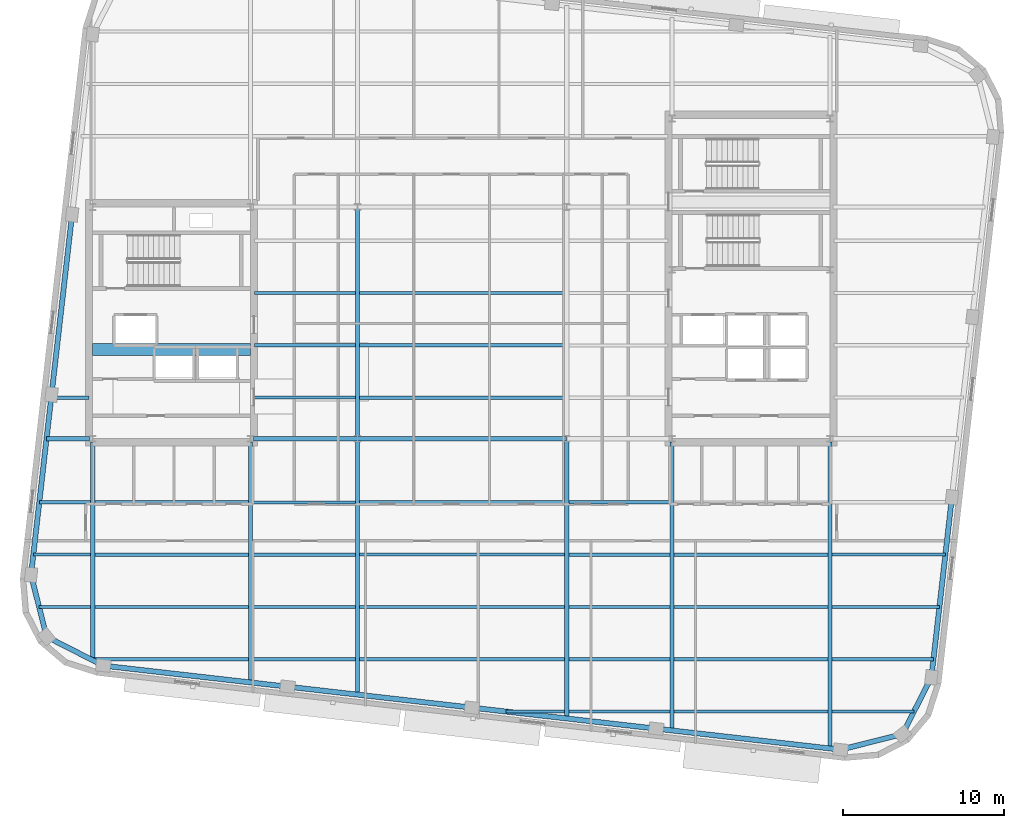
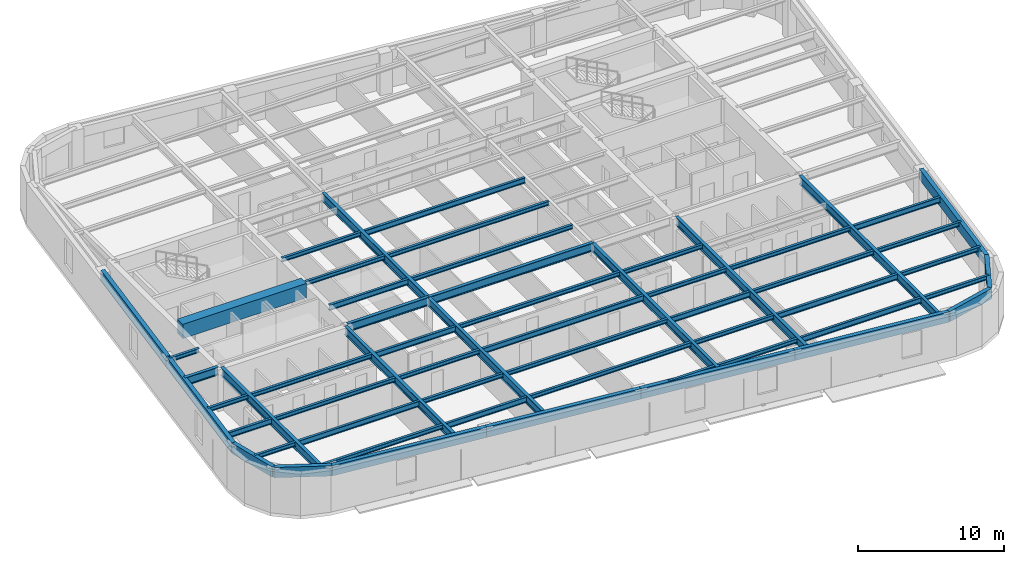
# One storey, part 3 of 13: 58 beams.
"""IFC4 building model written with IfcOpenShell, lengths in metres."""

import ifcopenshell
import ifcopenshell.guid

model = None  # the IFC model being written
_history = None  # IfcOwnerHistory: only IFC2X3 demands one
_inside = {}  # id of a spatial element -> (the spatial element, [elements in it])
_under = {}  # id of a project, library or spatial element -> (it, [spatial elements below it])
_declared = {}  # id of a project -> (the project, [libraries it declares])
_typed = {}  # id of a type object -> (the type object, [elements of that type])
_made_of = {}  # id of a material, layer set ... -> (it, [elements and type objects made of it])


def new_model(schema):
    """Start an empty IFC model of exactly this schema.

    Asked for "IFC4X3", IfcOpenShell would pick the latest addendum, in which some entities
    have other attributes; the version numbers below select the first issue.
    IFC2X3 requires an IfcOwnerHistory on every rooted entity: one is made here for all.
    """
    global model, _history
    if schema == "IFC4X3":
        model = ifcopenshell.file(schema_version=(4, 3, 0, 0))
    else:
        model = ifcopenshell.file(schema=schema)
    _inside.clear()
    _under.clear()
    _declared.clear()
    _typed.clear()
    _made_of.clear()
    _history = None
    if model.schema == "IFC2X3":
        org = make("IfcOrganization", Name="unknown")
        user = make(
            "IfcPersonAndOrganization",
            ThePerson=make("IfcPerson", FamilyName="unknown"),
            TheOrganization=org,
        )
        app = make(
            "IfcApplication",
            ApplicationDeveloper=org,
            Version="unknown",
            ApplicationFullName="unknown",
            ApplicationIdentifier="unknown",
        )
        _history = make(
            "IfcOwnerHistory",
            OwningUser=user,
            OwningApplication=app,
            ChangeAction="ADDED",
            CreationDate=0,
        )
    return model


def make(cls, **values):
    """One entity of the class cls with the attributes given. An attribute that is None is left unset."""
    return model.create_entity(
        cls, **{name: value for name, value in values.items() if value is not None}
    )


def rooted(cls, **values):
    """An entity with a GlobalId (a new one), such as an element, a storey or a relation."""
    return make(cls, GlobalId=ifcopenshell.guid.new(), OwnerHistory=_history, **values)


def si_unit(unit_type, name, prefix=None):
    """IfcSIUnit, for example si_unit("LENGTHUNIT", "METRE", prefix="MILLI")."""
    return make("IfcSIUnit", UnitType=unit_type, Prefix=prefix, Name=name)


def assignment(units):
    """IfcUnitAssignment: the units of a project."""
    return None if units is None else make("IfcUnitAssignment", Units=units)


def point(xyz):
    """IfcCartesianPoint."""
    return None if xyz is None else make("IfcCartesianPoint", Coordinates=xyz)


def direction(xyz):
    """IfcDirection."""
    return None if xyz is None else make("IfcDirection", DirectionRatios=xyz)


def frame(location, z_axis=None, x_axis=None):
    """IfcAxis2Placement3D, a coordinate frame: its origin and axes. An axis left out is left unset."""
    return make(
        "IfcAxis2Placement3D",
        Location=point(location),
        Axis=direction(z_axis),
        RefDirection=direction(x_axis),
    )


def frame_2d(location, x_axis=None):
    """IfcAxis2Placement2D, a coordinate frame in the plane: its origin and x axis."""
    return make(
        "IfcAxis2Placement2D", Location=point(location), RefDirection=direction(x_axis)
    )


def origin():
    """The frame at (0, 0, 0) with its axes left unset."""
    return frame((0.0, 0.0, 0.0))


def origin_2d():
    """The frame at (0, 0) in the plane with its x axis left unset."""
    return frame_2d((0.0, 0.0))


def place(relative_to, where):
    """IfcLocalPlacement: puts the frame where relative to a parent placement (None: the world)."""
    return make(
        "IfcLocalPlacement", PlacementRelTo=relative_to, RelativePlacement=where
    )


def context(
    kind, dimensions, precision=None, world=None, true_north=None, identifier=None
):
    """IfcGeometricRepresentationContext, for example the 3D "Model" context."""
    return make(
        "IfcGeometricRepresentationContext",
        ContextIdentifier=identifier,
        ContextType=kind,
        CoordinateSpaceDimension=dimensions,
        Precision=precision,
        WorldCoordinateSystem=world,
        TrueNorth=true_north,
    )


def subcontext(parent, identifier, kind, view, scale=None):
    """IfcGeometricRepresentationSubContext, for example "Body" below "Model"."""
    return make(
        "IfcGeometricRepresentationSubContext",
        ContextIdentifier=identifier,
        ContextType=kind,
        ParentContext=parent,
        TargetScale=scale,
        TargetView=view,
    )


def project(units=None, contexts=None):
    """IfcProject with its units and contexts."""
    return rooted(
        "IfcProject",
        Name="project",
        RepresentationContexts=contexts,
        UnitsInContext=assignment(units),
    )


def spatial(cls, under=None, at=None, **own):
    """A site, building, storey or space (cls), placed at a placement, below another one or the project."""
    s = rooted(cls, ObjectPlacement=at, **own)
    if under is not None:
        _under.setdefault(under.id(), (under, []))[1].append(s)
    return s


def profile(cls, at=None, kind="AREA", **sizes):
    """A parametric profile (cls). Its sizes go by their IFC names, for example OverallWidth=200.0."""
    return make(cls, ProfileType=kind, Position=at, **sizes)


def rectangle(**sizes):
    """IfcRectangleProfileDef."""
    return profile("IfcRectangleProfileDef", **sizes)


def hollow_rectangle(**sizes):
    """IfcRectangleHollowProfileDef."""
    return profile("IfcRectangleHollowProfileDef", **sizes)


def i_section(**sizes):
    """IfcIShapeProfileDef."""
    return profile("IfcIShapeProfileDef", **sizes)


def extrude(swept, where, along, depth):
    """IfcExtrudedAreaSolid: the profile swept, set in the frame where, extruded along a direction by depth."""
    return make(
        "IfcExtrudedAreaSolid",
        SweptArea=swept,
        Position=where,
        ExtrudedDirection=direction(along),
        Depth=depth,
    )


def shape(context_of_items, identifier, shape_type, items):
    """IfcShapeRepresentation: the items that make up one representation, for example the "Body"."""
    return make(
        "IfcShapeRepresentation",
        ContextOfItems=context_of_items,
        RepresentationIdentifier=identifier,
        RepresentationType=shape_type,
        Items=items,
    )


def material(Name=None, Category=None):
    """IfcMaterial."""
    return make("IfcMaterial", Name=Name, Category=Category)


def material_profile(
    of_material, cross_section, Name=None, Category=None, Priority=None
):
    """IfcMaterialProfile: a cross section and its material."""
    return make(
        "IfcMaterialProfile",
        Name=Name,
        Material=of_material,
        Profile=cross_section,
        Priority=Priority,
        Category=Category,
    )


def profile_set(profiles, Name=None, composite=None):
    """IfcMaterialProfileSet."""
    return make(
        "IfcMaterialProfileSet",
        Name=Name,
        MaterialProfiles=profiles,
        CompositeProfile=composite,
    )


def made_of(thing, what):
    """Note that an element or type object is made of a material, layer set ...; save() writes the relation."""
    if what is not None:
        _made_of.setdefault(what.id(), (what, []))[1].append(thing)
    return thing


def type_object(cls, material=None, **own):
    """A type object (cls), such as IfcWallType, which elements share."""
    return made_of(rooted(cls, **own), material)


def element(
    cls,
    number,
    at=None,
    inside=None,
    cuts=None,
    type_object=None,
    material=None,
    context=None,
    identifier="Body",
    shape_type=None,
    held_by="IfcProductDefinitionShape",
    body=None,
    shapes=None,
    **own,
):
    """One element of the class cls, such as IfcWall. Its Tag is "e" and its number.

    at: its placement. inside: the storey or other place that contains it. cuts: it is an
    opening in that element (IfcRelVoidsElement). A single representation is given by context,
    identifier, shape_type and body (its items); several are given by shapes. held_by: the class
    of the entity that holds the representations. save() writes the other relations.
    """
    e = rooted(cls, Tag="e%d" % number, ObjectPlacement=at, **own)
    if body is not None:
        shapes = [shape(context, identifier, shape_type, body)]
    if shapes is not None:
        e.Representation = make(held_by, Representations=shapes)
    if inside is not None:
        _inside.setdefault(inside.id(), (inside, []))[1].append(e)
    if cuts is not None:
        rooted(
            "IfcRelVoidsElement", RelatingBuildingElement=cuts, RelatedOpeningElement=e
        )
    if type_object is not None:
        _typed.setdefault(type_object.id(), (type_object, []))[1].append(e)
    return made_of(e, material)


def aggregate(whole, parts):
    """IfcRelAggregates: a whole, such as a stair, and the parts it consists of."""
    return rooted("IfcRelAggregates", RelatingObject=whole, RelatedObjects=parts)


def save(model, path):
    """Write the relations noted so far, then the file.

    IfcRelAggregates (storeys below a building ...), IfcRelContainedInSpatialStructure (elements
    in a storey), IfcRelDefinesByType, IfcRelAssociatesMaterial and IfcRelDeclares: one each for
    every whole, place, type object, material and project.
    """
    for whole, parts in _under.values():
        aggregate(whole, parts)
    for where, things in _inside.values():
        rooted(
            "IfcRelContainedInSpatialStructure",
            RelatedElements=things,
            RelatingStructure=where,
        )
    for kind, things in _typed.values():
        rooted("IfcRelDefinesByType", RelatedObjects=things, RelatingType=kind)
    for what, things in _made_of.values():
        rooted("IfcRelAssociatesMaterial", RelatedObjects=things, RelatingMaterial=what)
    for by, libraries in _declared.values():
        rooted("IfcRelDeclares", RelatingContext=by, RelatedDefinitions=libraries)
    model.write(path)


model = new_model("IFC4")

# Units and contexts
model_context = context("Model", 3, precision=1e-05, world=origin(), true_north=direction((0.0, 1.0)))
body_context = subcontext(model_context, "Body", "Model", "MODEL_VIEW")
ifc_project = project(units=[si_unit("LENGTHUNIT", "METRE"), si_unit("AREAUNIT", "SQUARE_METRE"), si_unit("VOLUMEUNIT", "CUBIC_METRE"), si_unit("PLANEANGLEUNIT", "RADIAN"), si_unit("MASSUNIT", "GRAM", prefix="KILO")], contexts=[model_context])

# Site, building, storey
site_placement = place(None, origin())
site = spatial("IfcSite", under=ifc_project, at=site_placement, CompositionType="ELEMENT")
building_placement = place(site_placement, origin())
building = spatial("IfcBuilding", under=site, at=building_placement, Name="Kolvaren Arena Tower", CompositionType="ELEMENT")
storey_placement = place(building_placement, frame((0.0, 0.0, 232.199951171875)))
storey = spatial("IfcBuildingStorey", under=building, at=storey_placement, Name="L56", CompositionType="ELEMENT", Elevation=232.199951171875)

# Beams
ifc_material_1 = material(Name="Steel CSA G40.21 350W", Category="steel")
ifc_material_profile_1 = material_profile(ifc_material_1, i_section(OverallWidth=0.193115234375, OverallDepth=0.462890625, WebThickness=0.0107421875, FlangeThickness=0.0205078125, FilletRadius=0.012939453125, at=origin_2d()), Name="W460x113")
ifc_profile_set_1 = profile_set([ifc_material_profile_1], Name="Steel CSA G40.21 350W")
beam_type_1 = type_object("IfcBeamType", Name="BEAM-F2", PredefinedType="BEAM", material=ifc_profile_set_1)
beam_1_placement = place(storey_placement, frame((50.677490234375, 2.5, 3.24853515625), z_axis=(1.0, 0.0, 0.0), x_axis=(0.0, 1.0, 0.0)))
element("IfcBeam", 1, at=beam_1_placement, inside=storey, type_object=beam_type_1, Name="Composite Floor Beam (L56)", PredefinedType="BEAM", context=body_context, shape_type="SweptSolid", body=[
    extrude(i_section(OverallWidth=0.193115234375, OverallDepth=0.462890625, WebThickness=0.0107421875, FlangeThickness=0.0205078125, FilletRadius=0.012939453125, at=origin_2d()), origin(), (0.0, 0.0, 1.0), 9.544921875),
])
beam_2_placement = place(storey_placement, frame((24.4775390625, 5.75, 3.24853515625), z_axis=(1.0, 0.0, 0.0), x_axis=(0.0, 1.0, 0.0)))
element("IfcBeam", 2, at=beam_2_placement, inside=storey, type_object=beam_type_1, Name="Composite Floor Beam (L56)", PredefinedType="BEAM", context=body_context, shape_type="SweptSolid", body=[
    extrude(i_section(OverallWidth=0.193115234375, OverallDepth=0.462890625, WebThickness=0.0107421875, FlangeThickness=0.0205078125, FilletRadius=0.012939453125, at=origin_2d()), origin(), (0.0, 0.0, 1.0), 6.39501953125),
])
for number, where, z_axis, x_axis, name in (
    (3, (50.677490234375, 5.75, 3.24853515625), (1.0, 0.0, 0.0), (0.0, 1.0, 0.0), "Composite Floor Beam (L56)"),
    (4, (14.677490234375, 9.0, 3.24853515625), (1.0, 0.0, 0.0), (0.0, 1.0, 0.0), "Composite Floor Beam (L56)"),
):
    element("IfcBeam", number, at=place(storey_placement, frame(where, z_axis=z_axis, x_axis=x_axis)), inside=storey, type_object=beam_type_1, Name=name, PredefinedType="BEAM", context=body_context, shape_type="SweptSolid", body=[
        extrude(i_section(OverallWidth=0.193115234375, OverallDepth=0.462890625, WebThickness=0.0107421875, FlangeThickness=0.0205078125, FilletRadius=0.012939453125, at=origin_2d()), origin(), (0.0, 0.0, 1.0), 9.544921875),
    ])
beam_3_placement = place(storey_placement, frame((44.12744140625, 9.0, 3.24853515625), z_axis=(1.0, 0.0, 0.0), x_axis=(0.0, 1.0, 0.0)))
element("IfcBeam", 5, at=beam_3_placement, inside=storey, type_object=beam_type_1, Name="Composite Floor Beam (L56)", PredefinedType="BEAM", context=body_context, shape_type="SweptSolid", body=[
    extrude(i_section(OverallWidth=0.193115234375, OverallDepth=0.462890625, WebThickness=0.0107421875, FlangeThickness=0.0205078125, FilletRadius=0.012939453125, at=origin_2d()), origin(), (0.0, 0.0, 1.0), 6.295166015625),
])
beam_4_placement = place(storey_placement, frame((10.86083984375, 12.25, 3.24853515625), z_axis=(1.0, 0.0, 0.0), x_axis=(0.0, 1.0, 0.0)))
element("IfcBeam", 6, at=beam_4_placement, inside=storey, type_object=beam_type_1, Name="Composite Floor Beam (L56)", PredefinedType="BEAM", context=body_context, shape_type="SweptSolid", body=[
    extrude(i_section(OverallWidth=0.193115234375, OverallDepth=0.462890625, WebThickness=0.0107421875, FlangeThickness=0.0205078125, FilletRadius=0.012939453125, at=origin_2d()), origin(), (0.0, 0.0, 1.0), 3.561767578125),
])
beam_5_placement = place(storey_placement, frame((31.12744140625, 12.25, 3.24853515625), z_axis=(1.0, 0.0, 0.0), x_axis=(0.0, 1.0, 0.0)))
element("IfcBeam", 7, at=beam_5_placement, inside=storey, type_object=beam_type_1, Name="Composite Floor Beam (L56)", PredefinedType="BEAM", context=body_context, shape_type="SweptSolid", body=[
    extrude(i_section(OverallWidth=0.193115234375, OverallDepth=0.462890625, WebThickness=0.0107421875, FlangeThickness=0.0205078125, FilletRadius=0.012939453125, at=origin_2d()), origin(), (0.0, 0.0, 1.0), 12.7451171875),
])
beam_6_placement = place(storey_placement, frame((60.4775390625, 12.25, 3.24853515625), z_axis=(1.0, 0.0, 0.0), x_axis=(0.0, 1.0, 0.0)))
element("IfcBeam", 8, at=beam_6_placement, inside=storey, type_object=beam_type_1, Name="Composite Floor Beam (L56)", PredefinedType="BEAM", context=body_context, shape_type="SweptSolid", body=[
    extrude(i_section(OverallWidth=0.193115234375, OverallDepth=0.462890625, WebThickness=0.0107421875, FlangeThickness=0.0205078125, FilletRadius=0.012939453125, at=origin_2d()), origin(), (0.0, 0.0, 1.0), 7.04736328125),
])
beam_7_placement = place(storey_placement, frame((24.4775390625, 15.5, 3.24853515625), z_axis=(1.0, 0.0, 0.0), x_axis=(0.0, 1.0, 0.0)))
element("IfcBeam", 9, at=beam_7_placement, inside=storey, type_object=beam_type_1, Name="Composite Floor Beam (L56)", PredefinedType="BEAM", context=body_context, shape_type="SweptSolid", body=[
    extrude(i_section(OverallWidth=0.193115234375, OverallDepth=0.462890625, WebThickness=0.0107421875, FlangeThickness=0.0205078125, FilletRadius=0.012939453125, at=origin_2d()), origin(), (0.0, 0.0, 1.0), 6.39501953125),
])
beam_8_placement = place(storey_placement, frame((24.594970703125, 22.0, 3.24853515625), z_axis=(1.0, 0.0, 0.0), x_axis=(0.0, 1.0, 0.0)))
element("IfcBeam", 10, at=beam_8_placement, inside=storey, type_object=beam_type_1, Name="Composite Floor Beam (L56)", PredefinedType="BEAM", context=body_context, shape_type="SweptSolid", body=[
    extrude(i_section(OverallWidth=0.193115234375, OverallDepth=0.462890625, WebThickness=0.0107421875, FlangeThickness=0.0205078125, FilletRadius=0.012939453125, at=origin_2d()), origin(), (0.0, 0.0, 1.0), 6.277587890625),
])
beam_9_placement = place(storey_placement, frame((31.12744140625, 28.5, 3.24853515625), z_axis=(1.0, 0.0, 0.0), x_axis=(0.0, 1.0, 0.0)))
element("IfcBeam", 11, at=beam_9_placement, inside=storey, type_object=beam_type_1, Name="Composite Floor Beam (L56)", PredefinedType="BEAM", context=body_context, shape_type="SweptSolid", body=[
    extrude(i_section(OverallWidth=0.193115234375, OverallDepth=0.462890625, WebThickness=0.0107421875, FlangeThickness=0.0205078125, FilletRadius=0.012939453125, at=origin_2d()), origin(), (0.0, 0.0, 1.0), 12.7451171875),
])
ifc_material_2 = material(Name="Concrete 60 MPa", Category="concrete")
ifc_material_profile_2 = material_profile(ifc_material_2, rectangle(XDim=0.75, YDim=1.199951171875, at=origin_2d()), Name="RC-750x1200")
ifc_profile_set_2 = profile_set([ifc_material_profile_2], Name="Concrete 60 MPa")
beam_type_2 = type_object("IfcBeamType", Name="CB-CORE-2", PredefinedType="BEAM", material=ifc_profile_set_2)
beam_10_placement = place(storey_placement, frame((14.550048828125, 25.0, 3.150146484375), z_axis=(1.0, 0.0, 0.0), x_axis=(0.0, 1.0, 0.0)))
element("IfcBeam", 12, at=beam_10_placement, inside=storey, type_object=beam_type_2, Name="West Core Coupling Beam (L56)", PredefinedType="BEAM", context=body_context, shape_type="SweptSolid", body=[
    extrude(rectangle(XDim=0.75, YDim=1.199951171875, at=origin_2d()), origin(), (0.0, 0.0, 1.0), 9.800048828125),
])
ifc_material_profile_3 = material_profile(ifc_material_1, i_section(OverallWidth=0.2548828125, OverallDepth=0.695068359375, WebThickness=0.01708984375, FlangeThickness=0.02978515625, FilletRadius=0.01611328125, at=origin_2d()), Name="W690x217")
ifc_profile_set_3 = profile_set([ifc_material_profile_3], Name="Steel CSA G40.21 350W")
beam_type_3 = type_object("IfcBeamType", Name="GIRD-T2", PredefinedType="BEAM", material=ifc_profile_set_3)
beam_11_placement = place(storey_placement, frame((11.68115234375, 19.449951171875, 3.132568359375), z_axis=(1.0, 0.0, 0.0), x_axis=(0.0, 1.0, 0.0)))
element("IfcBeam", 13, at=beam_11_placement, inside=storey, type_object=beam_type_3, Name="Primary Floor Girder (L56)", PredefinedType="BEAM", context=body_context, shape_type="SweptSolid", body=[
    extrude(i_section(OverallWidth=0.2548828125, OverallDepth=0.695068359375, WebThickness=0.01708984375, FlangeThickness=0.02978515625, FilletRadius=0.01611328125, at=origin_2d()), origin(), (0.0, 0.0, 1.0), 2.663818359375),
])
beam_12_placement = place(storey_placement, frame((24.554931640625, 19.449951171875, 3.132568359375), z_axis=(1.0, 0.0, 0.0), x_axis=(0.0, 1.0, 0.0)))
element("IfcBeam", 14, at=beam_12_placement, inside=storey, type_object=beam_type_3, Name="Primary Floor Girder (L56)", PredefinedType="BEAM", context=body_context, shape_type="SweptSolid", body=[
    extrude(i_section(OverallWidth=0.2548828125, OverallDepth=0.695068359375, WebThickness=0.01708984375, FlangeThickness=0.02978515625, FilletRadius=0.01611328125, at=origin_2d()), origin(), (0.0, 0.0, 1.0), 6.445068359375),
])
beam_13_placement = place(storey_placement, frame((31.0, 19.449951171875, 3.132568359375), z_axis=(1.0, 0.0, 0.0), x_axis=(0.0, 1.0, 0.0)))
element("IfcBeam", 15, at=beam_13_placement, inside=storey, type_object=beam_type_3, Name="Primary Floor Girder (L56)", PredefinedType="BEAM", context=body_context, shape_type="SweptSolid", body=[
    extrude(i_section(OverallWidth=0.2548828125, OverallDepth=0.695068359375, WebThickness=0.01708984375, FlangeThickness=0.02978515625, FilletRadius=0.01611328125, at=origin_2d()), origin(), (0.0, 0.0, 1.0), 13.0),
])
beam_14_placement = place(storey_placement, frame((14.550048828125, 5.686767578125, 3.132568359375), z_axis=(0.0, 1.0, 0.0), x_axis=(-1.0, 0.0, 0.0)))
element("IfcBeam", 16, at=beam_14_placement, inside=storey, type_object=beam_type_3, Name="Primary Floor Girder (L56)", PredefinedType="BEAM", context=body_context, shape_type="SweptSolid", body=[
    extrude(i_section(OverallWidth=0.2548828125, OverallDepth=0.695068359375, WebThickness=0.01708984375, FlangeThickness=0.02978515625, FilletRadius=0.01611328125, at=origin_2d()), origin(), (0.0, 0.0, 1.0), 13.558349609375),
])
beam_15_placement = place(storey_placement, frame((24.35009765625, 4.30908203125, 3.132568359375), z_axis=(0.0, 1.0, 0.0), x_axis=(-1.0, 0.0, 0.0)))
element("IfcBeam", 17, at=beam_15_placement, inside=storey, type_object=beam_type_3, Name="Primary Floor Girder (L56)", PredefinedType="BEAM", context=body_context, shape_type="SweptSolid", body=[
    extrude(i_section(OverallWidth=0.2548828125, OverallDepth=0.695068359375, WebThickness=0.01708984375, FlangeThickness=0.02978515625, FilletRadius=0.01611328125, at=origin_2d()), origin(), (0.0, 0.0, 1.0), 14.93603515625),
])
beam_16_placement = place(storey_placement, frame((31.0, 3.551513671875, 3.132568359375), z_axis=(0.0, 1.0, 0.0), x_axis=(-1.0, 0.0, 0.0)))
element("IfcBeam", 18, at=beam_16_placement, inside=storey, type_object=beam_type_3, Name="Primary Floor Girder (L56)", PredefinedType="BEAM", context=body_context, shape_type="SweptSolid", body=[
    extrude(i_section(OverallWidth=0.2548828125, OverallDepth=0.695068359375, WebThickness=0.01708984375, FlangeThickness=0.02978515625, FilletRadius=0.01611328125, at=origin_2d()), origin(), (0.0, 0.0, 1.0), 15.8984375),
])
beam_17_placement = place(storey_placement, frame((31.0, 19.449951171875, 3.132568359375), z_axis=(0.0, 1.0, 0.0), x_axis=(-1.0, 0.0, 0.0)))
element("IfcBeam", 19, at=beam_17_placement, inside=storey, type_object=beam_type_3, Name="Primary Floor Girder (L56)", PredefinedType="BEAM", context=body_context, shape_type="SweptSolid", body=[
    extrude(i_section(OverallWidth=0.2548828125, OverallDepth=0.695068359375, WebThickness=0.01708984375, FlangeThickness=0.02978515625, FilletRadius=0.01611328125, at=origin_2d()), origin(), (0.0, 0.0, 1.0), 14.400146484375),
])
beam_18_placement = place(storey_placement, frame((44.0, 2.0703125, 3.132568359375), z_axis=(0.0, 1.0, 0.0), x_axis=(-1.0, 0.0, 0.0)))
element("IfcBeam", 20, at=beam_18_placement, inside=storey, type_object=beam_type_3, Name="Primary Floor Girder (L56)", PredefinedType="BEAM", context=body_context, shape_type="SweptSolid", body=[
    extrude(i_section(OverallWidth=0.2548828125, OverallDepth=0.695068359375, WebThickness=0.01708984375, FlangeThickness=0.02978515625, FilletRadius=0.01611328125, at=origin_2d()), origin(), (0.0, 0.0, 1.0), 17.379638671875),
])
beam_19_placement = place(storey_placement, frame((50.550048828125, 1.323974609375, 3.132568359375), z_axis=(0.0, 1.0, 0.0), x_axis=(-1.0, 0.0, 0.0)))
element("IfcBeam", 21, at=beam_19_placement, inside=storey, type_object=beam_type_3, Name="Primary Floor Girder (L56)", PredefinedType="BEAM", context=body_context, shape_type="SweptSolid", body=[
    extrude(i_section(OverallWidth=0.2548828125, OverallDepth=0.695068359375, WebThickness=0.01708984375, FlangeThickness=0.02978515625, FilletRadius=0.01611328125, at=origin_2d()), origin(), (0.0, 0.0, 1.0), 17.921142578125),
])
beam_20_placement = place(storey_placement, frame((60.35009765625, 0.20751953125, 3.132568359375), z_axis=(0.0, 1.0, 0.0), x_axis=(-1.0, 0.0, 0.0)))
element("IfcBeam", 22, at=beam_20_placement, inside=storey, type_object=beam_type_3, Name="Primary Floor Girder (L56)", PredefinedType="BEAM", context=body_context, shape_type="SweptSolid", body=[
    extrude(i_section(OverallWidth=0.2548828125, OverallDepth=0.695068359375, WebThickness=0.01708984375, FlangeThickness=0.02978515625, FilletRadius=0.01611328125, at=origin_2d()), origin(), (0.0, 0.0, 1.0), 19.03759765625),
])
ifc_material_profile_4 = material_profile(ifc_material_1, i_section(OverallWidth=0.202880859375, OverallDepth=0.346923828125, WebThickness=0.0078125, FlangeThickness=0.013427734375, FilletRadius=0.010986328125, at=origin_2d()), Name="W360x64")
ifc_profile_set_4 = profile_set([ifc_material_profile_4], Name="Steel CSA G40.21 350W")
beam_type_4 = type_object("IfcBeamType", Name="JOIST-01", PredefinedType="JOIST", material=ifc_profile_set_4)
beam_21_placement = place(storey_placement, frame((40.228271484375, 2.5, 3.306640625), z_axis=(1.0, 0.0, 0.0), x_axis=(0.0, 1.0, 0.0)))
element("IfcBeam", 23, at=beam_21_placement, inside=storey, type_object=beam_type_4, Name="Composite Floor Joist (L56)", PredefinedType="JOIST", context=body_context, shape_type="SweptSolid", body=[
    extrude(i_section(OverallWidth=0.202880859375, OverallDepth=0.346923828125, WebThickness=0.0078125, FlangeThickness=0.013427734375, FilletRadius=0.010986328125, at=origin_2d()), origin(), (0.0, 0.0, 1.0), 3.644287109375),
])
beam_22_placement = place(storey_placement, frame((44.12744140625, 2.5, 3.306640625), z_axis=(1.0, 0.0, 0.0), x_axis=(0.0, 1.0, 0.0)))
element("IfcBeam", 24, at=beam_22_placement, inside=storey, type_object=beam_type_4, Name="Composite Floor Joist (L56)", PredefinedType="JOIST", context=body_context, shape_type="SweptSolid", body=[
    extrude(i_section(OverallWidth=0.202880859375, OverallDepth=0.346923828125, WebThickness=0.0078125, FlangeThickness=0.013427734375, FilletRadius=0.010986328125, at=origin_2d()), origin(), (0.0, 0.0, 1.0), 6.295166015625),
])
beam_23_placement = place(storey_placement, frame((60.4775390625, 2.5, 3.306640625), z_axis=(1.0, 0.0, 0.0), x_axis=(0.0, 1.0, 0.0)))
element("IfcBeam", 25, at=beam_23_placement, inside=storey, type_object=beam_type_4, Name="Composite Floor Joist (L56)", PredefinedType="JOIST", context=body_context, shape_type="SweptSolid", body=[
    extrude(i_section(OverallWidth=0.202880859375, OverallDepth=0.346923828125, WebThickness=0.0078125, FlangeThickness=0.013427734375, FilletRadius=0.010986328125, at=origin_2d()), origin(), (0.0, 0.0, 1.0), 5.09423828125),
])
beam_24_placement = place(storey_placement, frame((14.42626953125, 5.75, 3.306640625), z_axis=(1.0, 0.0, 0.0), x_axis=(0.0, 1.0, 0.0)))
element("IfcBeam", 26, at=beam_24_placement, inside=storey, type_object=beam_type_4, Name="Composite Floor Joist (L56)", PredefinedType="JOIST", context=body_context, shape_type="SweptSolid", body=[
    extrude(i_section(OverallWidth=0.202880859375, OverallDepth=0.346923828125, WebThickness=0.0078125, FlangeThickness=0.013427734375, FilletRadius=0.010986328125, at=origin_2d()), origin(), (0.0, 0.0, 1.0), 9.796142578125),
])
beam_25_placement = place(storey_placement, frame((31.12744140625, 5.75, 3.306640625), z_axis=(1.0, 0.0, 0.0), x_axis=(0.0, 1.0, 0.0)))
element("IfcBeam", 27, at=beam_25_placement, inside=storey, type_object=beam_type_4, Name="Composite Floor Joist (L56)", PredefinedType="JOIST", context=body_context, shape_type="SweptSolid", body=[
    extrude(i_section(OverallWidth=0.202880859375, OverallDepth=0.346923828125, WebThickness=0.0078125, FlangeThickness=0.013427734375, FilletRadius=0.010986328125, at=origin_2d()), origin(), (0.0, 0.0, 1.0), 12.7451171875),
])
beam_26_placement = place(storey_placement, frame((44.12744140625, 5.75, 3.306640625), z_axis=(1.0, 0.0, 0.0), x_axis=(0.0, 1.0, 0.0)))
element("IfcBeam", 28, at=beam_26_placement, inside=storey, type_object=beam_type_4, Name="Composite Floor Joist (L56)", PredefinedType="JOIST", context=body_context, shape_type="SweptSolid", body=[
    extrude(i_section(OverallWidth=0.202880859375, OverallDepth=0.346923828125, WebThickness=0.0078125, FlangeThickness=0.013427734375, FilletRadius=0.010986328125, at=origin_2d()), origin(), (0.0, 0.0, 1.0), 6.295166015625),
])
beam_27_placement = place(storey_placement, frame((60.4775390625, 5.75, 3.306640625), z_axis=(1.0, 0.0, 0.0), x_axis=(0.0, 1.0, 0.0)))
element("IfcBeam", 29, at=beam_27_placement, inside=storey, type_object=beam_type_4, Name="Composite Floor Joist (L56)", PredefinedType="JOIST", context=body_context, shape_type="SweptSolid", body=[
    extrude(i_section(OverallWidth=0.202880859375, OverallDepth=0.346923828125, WebThickness=0.0078125, FlangeThickness=0.013427734375, FilletRadius=0.010986328125, at=origin_2d()), origin(), (0.0, 0.0, 1.0), 6.306884765625),
])
beam_28_placement = place(storey_placement, frame((11.217529296875, 9.0, 3.306640625), z_axis=(1.0, 0.0, 0.0), x_axis=(0.0, 1.0, 0.0)))
element("IfcBeam", 30, at=beam_28_placement, inside=storey, type_object=beam_type_4, Name="Composite Floor Joist (L56)", PredefinedType="JOIST", context=body_context, shape_type="SweptSolid", body=[
    extrude(i_section(OverallWidth=0.202880859375, OverallDepth=0.346923828125, WebThickness=0.0078125, FlangeThickness=0.013427734375, FilletRadius=0.010986328125, at=origin_2d()), origin(), (0.0, 0.0, 1.0), 3.205078125),
])
beam_29_placement = place(storey_placement, frame((24.4775390625, 9.0, 3.306640625), z_axis=(1.0, 0.0, 0.0), x_axis=(0.0, 1.0, 0.0)))
element("IfcBeam", 31, at=beam_29_placement, inside=storey, type_object=beam_type_4, Name="Composite Floor Joist (L56)", PredefinedType="JOIST", context=body_context, shape_type="SweptSolid", body=[
    extrude(i_section(OverallWidth=0.202880859375, OverallDepth=0.346923828125, WebThickness=0.0078125, FlangeThickness=0.013427734375, FilletRadius=0.010986328125, at=origin_2d()), origin(), (0.0, 0.0, 1.0), 6.39501953125),
])
beam_30_placement = place(storey_placement, frame((31.12744140625, 9.0, 3.306640625), z_axis=(1.0, 0.0, 0.0), x_axis=(0.0, 1.0, 0.0)))
element("IfcBeam", 32, at=beam_30_placement, inside=storey, type_object=beam_type_4, Name="Composite Floor Joist (L56)", PredefinedType="JOIST", context=body_context, shape_type="SweptSolid", body=[
    extrude(i_section(OverallWidth=0.202880859375, OverallDepth=0.346923828125, WebThickness=0.0078125, FlangeThickness=0.013427734375, FilletRadius=0.010986328125, at=origin_2d()), origin(), (0.0, 0.0, 1.0), 12.7451171875),
])
beam_31_placement = place(storey_placement, frame((50.677490234375, 9.0, 3.306640625), z_axis=(1.0, 0.0, 0.0), x_axis=(0.0, 1.0, 0.0)))
element("IfcBeam", 33, at=beam_31_placement, inside=storey, type_object=beam_type_4, Name="Composite Floor Joist (L56)", PredefinedType="JOIST", context=body_context, shape_type="SweptSolid", body=[
    extrude(i_section(OverallWidth=0.202880859375, OverallDepth=0.346923828125, WebThickness=0.0078125, FlangeThickness=0.013427734375, FilletRadius=0.010986328125, at=origin_2d()), origin(), (0.0, 0.0, 1.0), 9.544921875),
])
beam_32_placement = place(storey_placement, frame((60.4775390625, 9.0, 3.306640625), z_axis=(1.0, 0.0, 0.0), x_axis=(0.0, 1.0, 0.0)))
element("IfcBeam", 34, at=beam_32_placement, inside=storey, type_object=beam_type_4, Name="Composite Floor Joist (L56)", PredefinedType="JOIST", context=body_context, shape_type="SweptSolid", body=[
    extrude(i_section(OverallWidth=0.202880859375, OverallDepth=0.346923828125, WebThickness=0.0078125, FlangeThickness=0.013427734375, FilletRadius=0.010986328125, at=origin_2d()), origin(), (0.0, 0.0, 1.0), 6.67724609375),
])
beam_33_placement = place(storey_placement, frame((14.677490234375, 12.25, 3.306640625), z_axis=(1.0, 0.0, 0.0), x_axis=(0.0, 1.0, 0.0)))
element("IfcBeam", 35, at=beam_33_placement, inside=storey, type_object=beam_type_4, Name="Composite Floor Joist (L56)", PredefinedType="JOIST", context=body_context, shape_type="SweptSolid", body=[
    extrude(i_section(OverallWidth=0.202880859375, OverallDepth=0.346923828125, WebThickness=0.0078125, FlangeThickness=0.013427734375, FilletRadius=0.010986328125, at=origin_2d()), origin(), (0.0, 0.0, 1.0), 9.544921875),
])
beam_34_placement = place(storey_placement, frame((24.4775390625, 12.25, 3.306640625), z_axis=(1.0, 0.0, 0.0), x_axis=(0.0, 1.0, 0.0)))
element("IfcBeam", 36, at=beam_34_placement, inside=storey, type_object=beam_type_4, Name="Composite Floor Joist (L56)", PredefinedType="JOIST", context=body_context, shape_type="SweptSolid", body=[
    extrude(i_section(OverallWidth=0.202880859375, OverallDepth=0.346923828125, WebThickness=0.0078125, FlangeThickness=0.013427734375, FilletRadius=0.010986328125, at=origin_2d()), origin(), (0.0, 0.0, 1.0), 6.39501953125),
])
beam_35_placement = place(storey_placement, frame((44.12744140625, 12.25, 3.306640625), z_axis=(1.0, 0.0, 0.0), x_axis=(0.0, 1.0, 0.0)))
element("IfcBeam", 37, at=beam_35_placement, inside=storey, type_object=beam_type_4, Name="Composite Floor Joist (L56)", PredefinedType="JOIST", context=body_context, shape_type="SweptSolid", body=[
    extrude(i_section(OverallWidth=0.202880859375, OverallDepth=0.346923828125, WebThickness=0.0078125, FlangeThickness=0.013427734375, FilletRadius=0.010986328125, at=origin_2d()), origin(), (0.0, 0.0, 1.0), 6.295166015625),
])
beam_36_placement = place(storey_placement, frame((50.677490234375, 12.25, 3.306640625), z_axis=(1.0, 0.0, 0.0), x_axis=(0.0, 1.0, 0.0)))
element("IfcBeam", 38, at=beam_36_placement, inside=storey, type_object=beam_type_4, Name="Composite Floor Joist (L56)", PredefinedType="JOIST", context=body_context, shape_type="SweptSolid", body=[
    extrude(i_section(OverallWidth=0.202880859375, OverallDepth=0.346923828125, WebThickness=0.0078125, FlangeThickness=0.013427734375, FilletRadius=0.010986328125, at=origin_2d()), origin(), (0.0, 0.0, 1.0), 9.544921875),
])
beam_37_placement = place(storey_placement, frame((11.23095703125, 15.5, 3.306640625), z_axis=(1.0, 0.0, 0.0), x_axis=(0.0, 1.0, 0.0)))
element("IfcBeam", 39, at=beam_37_placement, inside=storey, type_object=beam_type_4, Name="Composite Floor Joist (L56)", PredefinedType="JOIST", context=body_context, shape_type="SweptSolid", body=[
    extrude(i_section(OverallWidth=0.202880859375, OverallDepth=0.346923828125, WebThickness=0.0078125, FlangeThickness=0.013427734375, FilletRadius=0.010986328125, at=origin_2d()), origin(), (0.0, 0.0, 1.0), 3.191650390625),
])
beam_38_placement = place(storey_placement, frame((14.677490234375, 15.5, 3.306640625), z_axis=(1.0, 0.0, 0.0), x_axis=(0.0, 1.0, 0.0)))
element("IfcBeam", 40, at=beam_38_placement, inside=storey, type_object=beam_type_4, Name="Composite Floor Joist (L56)", PredefinedType="JOIST", context=body_context, shape_type="SweptSolid", body=[
    extrude(i_section(OverallWidth=0.202880859375, OverallDepth=0.346923828125, WebThickness=0.0078125, FlangeThickness=0.013427734375, FilletRadius=0.010986328125, at=origin_2d()), origin(), (0.0, 0.0, 1.0), 9.544921875),
])
beam_39_placement = place(storey_placement, frame((31.12744140625, 15.5, 3.306640625), z_axis=(1.0, 0.0, 0.0), x_axis=(0.0, 1.0, 0.0)))
element("IfcBeam", 41, at=beam_39_placement, inside=storey, type_object=beam_type_4, Name="Composite Floor Joist (L56)", PredefinedType="JOIST", context=body_context, shape_type="SweptSolid", body=[
    extrude(i_section(OverallWidth=0.202880859375, OverallDepth=0.346923828125, WebThickness=0.0078125, FlangeThickness=0.013427734375, FilletRadius=0.010986328125, at=origin_2d()), origin(), (0.0, 0.0, 1.0), 12.7451171875),
])
beam_40_placement = place(storey_placement, frame((44.12744140625, 15.5, 3.306640625), z_axis=(1.0, 0.0, 0.0), x_axis=(0.0, 1.0, 0.0)))
element("IfcBeam", 42, at=beam_40_placement, inside=storey, type_object=beam_type_4, Name="Composite Floor Joist (L56)", PredefinedType="JOIST", context=body_context, shape_type="SweptSolid", body=[
    extrude(i_section(OverallWidth=0.202880859375, OverallDepth=0.346923828125, WebThickness=0.0078125, FlangeThickness=0.013427734375, FilletRadius=0.010986328125, at=origin_2d()), origin(), (0.0, 0.0, 1.0), 6.295166015625),
])
beam_41_placement = place(storey_placement, frame((11.9716796875, 22.0, 3.306640625), z_axis=(1.0, 0.0, 0.0), x_axis=(0.0, 1.0, 0.0)))
element("IfcBeam", 43, at=beam_41_placement, inside=storey, type_object=beam_type_4, Name="Composite Floor Joist (L56)", PredefinedType="JOIST", context=body_context, shape_type="SweptSolid", body=[
    extrude(i_section(OverallWidth=0.202880859375, OverallDepth=0.346923828125, WebThickness=0.0078125, FlangeThickness=0.013427734375, FilletRadius=0.010986328125, at=origin_2d()), origin(), (0.0, 0.0, 1.0), 2.333251953125),
])
beam_42_placement = place(storey_placement, frame((31.12744140625, 22.0, 3.306640625), z_axis=(1.0, 0.0, 0.0), x_axis=(0.0, 1.0, 0.0)))
element("IfcBeam", 44, at=beam_42_placement, inside=storey, type_object=beam_type_4, Name="Composite Floor Joist (L56)", PredefinedType="JOIST", context=body_context, shape_type="SweptSolid", body=[
    extrude(i_section(OverallWidth=0.202880859375, OverallDepth=0.346923828125, WebThickness=0.0078125, FlangeThickness=0.013427734375, FilletRadius=0.010986328125, at=origin_2d()), origin(), (0.0, 0.0, 1.0), 12.7451171875),
])
beam_43_placement = place(storey_placement, frame((24.594970703125, 25.25, 3.306640625), z_axis=(1.0, 0.0, 0.0), x_axis=(0.0, 1.0, 0.0)))
element("IfcBeam", 45, at=beam_43_placement, inside=storey, type_object=beam_type_4, Name="Composite Floor Joist (L56)", PredefinedType="JOIST", context=body_context, shape_type="SweptSolid", body=[
    extrude(i_section(OverallWidth=0.202880859375, OverallDepth=0.346923828125, WebThickness=0.0078125, FlangeThickness=0.013427734375, FilletRadius=0.010986328125, at=origin_2d()), origin(), (0.0, 0.0, 1.0), 6.277587890625),
])
beam_44_placement = place(storey_placement, frame((31.12744140625, 25.25, 3.306640625), z_axis=(1.0, 0.0, 0.0), x_axis=(0.0, 1.0, 0.0)))
element("IfcBeam", 46, at=beam_44_placement, inside=storey, type_object=beam_type_4, Name="Composite Floor Joist (L56)", PredefinedType="JOIST", context=body_context, shape_type="SweptSolid", body=[
    extrude(i_section(OverallWidth=0.202880859375, OverallDepth=0.346923828125, WebThickness=0.0078125, FlangeThickness=0.013427734375, FilletRadius=0.010986328125, at=origin_2d()), origin(), (0.0, 0.0, 1.0), 12.7451171875),
])
beam_45_placement = place(storey_placement, frame((24.594970703125, 28.5, 3.306640625), z_axis=(1.0, 0.0, 0.0), x_axis=(0.0, 1.0, 0.0)))
element("IfcBeam", 47, at=beam_45_placement, inside=storey, type_object=beam_type_4, Name="Composite Floor Joist (L56)", PredefinedType="JOIST", context=body_context, shape_type="SweptSolid", body=[
    extrude(i_section(OverallWidth=0.202880859375, OverallDepth=0.346923828125, WebThickness=0.0078125, FlangeThickness=0.013427734375, FilletRadius=0.010986328125, at=origin_2d()), origin(), (0.0, 0.0, 1.0), 6.277587890625),
])
ifc_material_3 = material(Name="Steel CSA G40.21 350WT", Category="steel")
ifc_material_profile_5 = material_profile(ifc_material_3, hollow_rectangle(XDim=0.320068359375, YDim=0.860107421875, WallThickness=0.01806640625, at=origin_2d()), Name="HSS 860x320x18")
ifc_profile_set_5 = profile_set([ifc_material_profile_5], Name="Steel CSA G40.21 350WT")
beam_type_5 = type_object("IfcBeamType", Name="SPAND-02", PredefinedType="SPANDREL", material=ifc_profile_set_5)
for number, where, z_axis, x_axis, name in (
    (48, (15.207763671875, 5.350830078125, 3.050048828125), (0.99357166944, -0.113204848336, 0.0), (0.113204848336, 0.99357166944, 0.0), "Perimeter Spandrel Beam (L56)"),
    (49, (26.65869140625, 4.046142578125, 3.050048828125), (0.99357166944, -0.113204848336, 0.0), (0.113204848336, 0.99357166944, 0.0), "Perimeter Spandrel Beam (L56)"),
):
    element("IfcBeam", number, at=place(storey_placement, frame(where, z_axis=z_axis, x_axis=x_axis)), inside=storey, type_object=beam_type_5, Name=name, PredefinedType="SPANDREL", context=body_context, shape_type="SweptSolid", body=[
        extrude(hollow_rectangle(XDim=0.320068359375, YDim=0.860107421875, WallThickness=0.01806640625, at=origin_2d()), origin(), (0.0, 0.0, 1.0), 11.52490234375),
    ])
beam_46_placement = place(storey_placement, frame((38.109619140625, 2.741455078125, 3.050048828125), z_axis=(0.993571397957, -0.113207231049, 0.0), x_axis=(0.113207231049, 0.993571397957, 0.0)))
element("IfcBeam", 50, at=beam_46_placement, inside=storey, type_object=beam_type_5, Name="Perimeter Spandrel Beam (L56)", PredefinedType="SPANDREL", context=body_context, shape_type="SweptSolid", body=[
    extrude(hollow_rectangle(XDim=0.320068359375, YDim=0.860107421875, WallThickness=0.01806640625, at=origin_2d()), origin(), (0.0, 0.0, 1.0), 11.524658203125),
])
beam_47_placement = place(storey_placement, frame((49.560302734375, 1.436767578125, 3.050048828125), z_axis=(0.993571940905, -0.113202465721, 0.0), x_axis=(0.113202465721, 0.993571940905, 0.0)))
element("IfcBeam", 51, at=beam_47_placement, inside=storey, type_object=beam_type_5, Name="Perimeter Spandrel Beam (L56)", PredefinedType="SPANDREL", context=body_context, shape_type="SweptSolid", body=[
    extrude(hollow_rectangle(XDim=0.320068359375, YDim=0.860107421875, WallThickness=0.01806640625, at=origin_2d()), origin(), (0.0, 0.0, 1.0), 11.525146484375),
])
beam_48_placement = place(storey_placement, frame((61.011474609375, 0.132080078125, 3.050048828125), z_axis=(0.970033632471, 0.242970681103, 0.0), x_axis=(-0.242970681103, 0.970033632471, 0.0)))
element("IfcBeam", 52, at=beam_48_placement, inside=storey, type_object=beam_type_5, Name="Perimeter Spandrel Beam (L56)", PredefinedType="SPANDREL", context=body_context, shape_type="SweptSolid", body=[
    extrude(hollow_rectangle(XDim=0.320068359375, YDim=0.860107421875, WallThickness=0.01806640625, at=origin_2d()), origin(), (0.0, 0.0, 1.0), 3.9609375),
])
beam_49_placement = place(storey_placement, frame((64.853759765625, 1.094482421875, 3.050048828125), z_axis=(0.454962284061, 0.89051070745, 0.0), x_axis=(-0.89051070745, 0.454962284061, 0.0)))
element("IfcBeam", 53, at=beam_49_placement, inside=storey, type_object=beam_type_5, Name="Perimeter Spandrel Beam (L56)", PredefinedType="SPANDREL", context=body_context, shape_type="SweptSolid", body=[
    extrude(hollow_rectangle(XDim=0.320068359375, YDim=0.860107421875, WallThickness=0.01806640625, at=origin_2d()), origin(), (0.0, 0.0, 1.0), 3.96142578125),
])
beam_50_placement = place(storey_placement, frame((66.656005859375, 4.6220703125, 3.050048828125), z_axis=(0.113201896536, 0.993572005755, 0.0), x_axis=(-0.993572005755, 0.113201896536, 0.0)))
element("IfcBeam", 54, at=beam_50_placement, inside=storey, type_object=beam_type_5, Name="Perimeter Spandrel Beam (L56)", PredefinedType="SPANDREL", context=body_context, shape_type="SweptSolid", body=[
    extrude(hollow_rectangle(XDim=0.320068359375, YDim=0.860107421875, WallThickness=0.01806640625, at=origin_2d()), origin(), (0.0, 0.0, 1.0), 11.2666015625),
])
beam_51_placement = place(storey_placement, frame((13.268798828125, 33.3837890625, 3.050048828125), z_axis=(-0.113220850685, -0.993569846045, 0.0), x_axis=(0.993569846045, -0.113220850685, 0.0)))
element("IfcBeam", 55, at=beam_51_placement, inside=storey, type_object=beam_type_5, Name="Perimeter Spandrel Beam (L56)", PredefinedType="SPANDREL", context=body_context, shape_type="SweptSolid", body=[
    extrude(hollow_rectangle(XDim=0.320068359375, YDim=0.860107421875, WallThickness=0.01806640625, at=origin_2d()), origin(), (0.0, 0.0, 1.0), 11.266845703125),
])
beam_52_placement = place(storey_placement, frame((11.9931640625, 22.189453125, 3.050048828125), z_axis=(-0.113201896536, -0.993572005755, 0.0), x_axis=(0.993572005755, -0.113201896536, 0.0)))
element("IfcBeam", 56, at=beam_52_placement, inside=storey, type_object=beam_type_5, Name="Perimeter Spandrel Beam (L56)", PredefinedType="SPANDREL", context=body_context, shape_type="SweptSolid", body=[
    extrude(hollow_rectangle(XDim=0.320068359375, YDim=0.860107421875, WallThickness=0.01806640625, at=origin_2d()), origin(), (0.0, 0.0, 1.0), 11.2666015625),
])
beam_53_placement = place(storey_placement, frame((10.7177734375, 10.995361328125, 3.050048828125), z_axis=(0.243014148252, -0.970022743934, 0.0), x_axis=(0.970022743934, 0.243014148252, 0.0)))
element("IfcBeam", 57, at=beam_53_placement, inside=storey, type_object=beam_type_5, Name="Perimeter Spandrel Beam (L56)", PredefinedType="SPANDREL", context=body_context, shape_type="SweptSolid", body=[
    extrude(hollow_rectangle(XDim=0.320068359375, YDim=0.860107421875, WallThickness=0.01806640625, at=origin_2d()), origin(), (0.0, 0.0, 1.0), 3.961181640625),
])
beam_54_placement = place(storey_placement, frame((11.680419921875, 7.15283203125, 3.050048828125), z_axis=(0.890522920884, -0.454938377564, 0.0), x_axis=(0.454938377564, 0.890522920884, 0.0)))
element("IfcBeam", 58, at=beam_54_placement, inside=storey, type_object=beam_type_5, Name="Perimeter Spandrel Beam (L56)", PredefinedType="SPANDREL", context=body_context, shape_type="SweptSolid", body=[
    extrude(hollow_rectangle(XDim=0.320068359375, YDim=0.860107421875, WallThickness=0.01806640625, at=origin_2d()), origin(), (0.0, 0.0, 1.0), 3.9609375),
])

save(model, "model.ifc")
